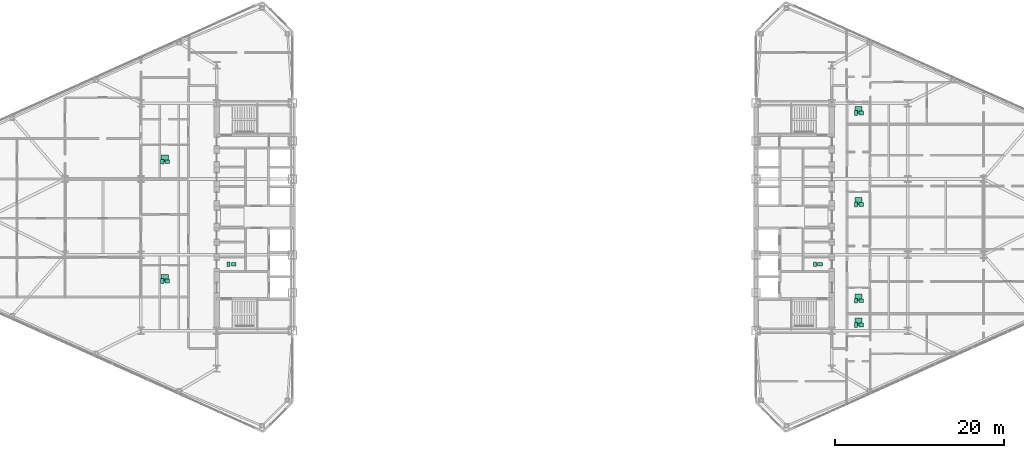
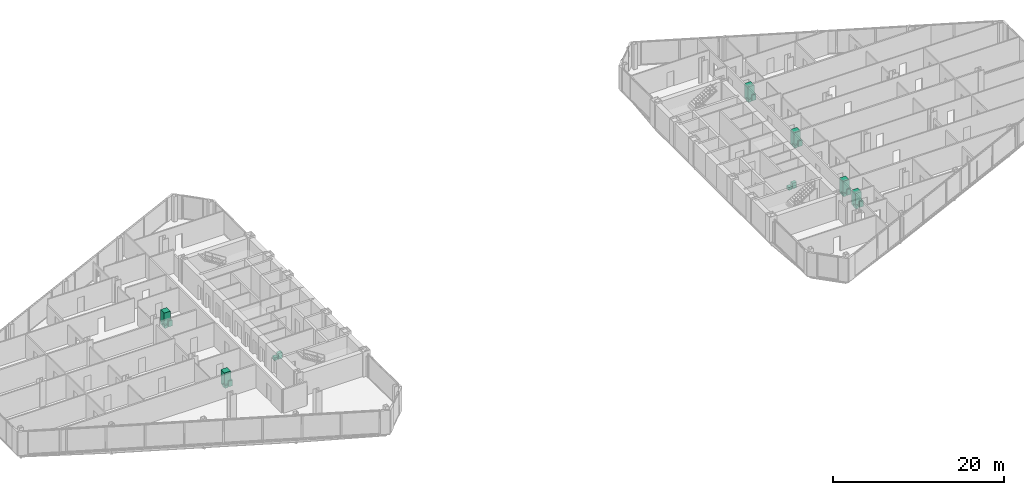
# One storey, part 27 of 27: 22 sanitary terminals.
"""IFC4 building model written with IfcOpenShell, lengths in metres."""

from ifc_helpers import new_model, si_unit, direction, frame, origin, origin_2d, place, context, subcontext, project, spatial, rectangle, extrude, source, transform, mapped, material, type_object, type_shapes, element, save


model = new_model("IFC4")

# Units and contexts
model_context = context("Model", 3, precision=1e-05, world=origin(), true_north=direction((0.0, 1.0)))
body_context = subcontext(model_context, "Body", "Model", "MODEL_VIEW")
ifc_project = project(units=[si_unit("LENGTHUNIT", "METRE"), si_unit("AREAUNIT", "SQUARE_METRE"), si_unit("VOLUMEUNIT", "CUBIC_METRE"), si_unit("PLANEANGLEUNIT", "RADIAN"), si_unit("MASSUNIT", "GRAM", prefix="KILO")], contexts=[model_context])

# Site, building, storey
site_placement = place(None, origin())
site = spatial("IfcSite", under=ifc_project, at=site_placement, CompositionType="ELEMENT")
building_placement = place(site_placement, origin())
building = spatial("IfcBuilding", under=site, at=building_placement, Name="Seokmaru Belvedere", CompositionType="ELEMENT")
storey_placement = place(building_placement, frame((0.0, 0.0, 80.10009765625)))
storey = spatial("IfcBuildingStorey", under=building, at=storey_placement, Name="L21", CompositionType="ELEMENT", Elevation=80.10009765625)

# Sanitary terminals
ifc_material_1 = material(Name="Vitreous China Sanitaryware")
sanitary_terminal_type_1 = type_object("IfcSanitaryTerminalType", Name="Wall-Hung Vitreous China WC Pan", PredefinedType="TOILETPAN", material=ifc_material_1)
shared_shape_1 = source(origin(), body_context, "Body", "SweptSolid", [
    extrude(rectangle(XDim=0.3798828125, YDim=0.56005859375, at=origin_2d()), origin(), (0.0, 0.0, 1.0), 0.419921875),
])
type_shapes(sanitary_terminal_type_1, [shared_shape_1])
for number, where, z_axis, x_axis, name in (
    (1, (-35.10009765625, -5.625, 0.0), (0.0, 0.0, 1.0), (1.0, 0.0, 0.0), "L21 Vitreous China WC 0121"),
    (2, (34.5, -5.625, 0.0), (0.0, 0.0, 1.0), (1.0, 0.0, 0.0), "L21 Vitreous China WC 0122"),
    (3, (-42.97509765625, -7.611083984375, 0.0), (0.0, 0.0, 1.0), (1.0, 0.0, 0.0), "L21 Vitreous China WC 0123"),
    (4, (-42.97509765625, 6.5390625, 0.0), (0.0, 0.0, 1.0), (1.0, 0.0, 0.0), "L21 Vitreous China WC 0124"),
    (5, (39.375, -12.822021484375, 0.0), (0.0, 0.0, 1.0), (1.0, 0.0, 0.0), "L21 Vitreous China WC 0125"),
    (6, (39.375, -9.947998046875, 0.0), (0.0, 0.0, 1.0), (1.0, 0.0, 0.0), "L21 Vitreous China WC 0126"),
    (7, (39.375, 1.48388671875, 0.0), (0.0, 0.0, 1.0), (1.0, 0.0, 0.0), "L21 Vitreous China WC 0127"),
    (8, (39.375, 12.322021484375, 0.0), (0.0, 0.0, 1.0), (1.0, 0.0, 0.0), "L21 Vitreous China WC 0128"),
):
    element("IfcSanitaryTerminal", number, at=place(storey_placement, frame(where, z_axis=z_axis, x_axis=x_axis)), inside=storey, type_object=sanitary_terminal_type_1, Name=name, PredefinedType="TOILETPAN", context=body_context, shape_type="MappedRepresentation", body=[
        mapped(shared_shape_1, transform((0.0, 0.0, 0.0), scale=1.0)),
    ])
sanitary_terminal_type_2 = type_object("IfcSanitaryTerminalType", Name="Countertop Ceramic Washhand Basin", PredefinedType="WASHHANDBASIN", material=ifc_material_1)
shared_shape_2 = source(origin(), body_context, "Body", "SweptSolid", [
    extrude(rectangle(XDim=0.550048828125, YDim=0.449951171875, at=origin_2d()), origin(), (0.0, 0.0, 1.0), 0.820068359375),
])
type_shapes(sanitary_terminal_type_2, [shared_shape_2])
for number, where, z_axis, x_axis, name in (
    (9, (-34.5, -5.625, 0.0), (0.0, 0.0, 1.0), (1.0, 0.0, 0.0), "L21 Ceramic Washhand Basin 0121"),
    (10, (35.10009765625, -5.625, 0.0), (0.0, 0.0, 1.0), (1.0, 0.0, 0.0), "L21 Ceramic Washhand Basin 0122"),
    (11, (-42.375, -7.611083984375, 0.0), (0.0, 0.0, 1.0), (1.0, 0.0, 0.0), "L21 Ceramic Washhand Basin 0123"),
    (12, (-42.375, 6.5390625, 0.0), (0.0, 0.0, 1.0), (1.0, 0.0, 0.0), "L21 Ceramic Washhand Basin 0124"),
    (13, (39.97509765625, -12.822021484375, 0.0), (0.0, 0.0, 1.0), (1.0, 0.0, 0.0), "L21 Ceramic Washhand Basin 0125"),
    (14, (39.97509765625, -9.947998046875, 0.0), (0.0, 0.0, 1.0), (1.0, 0.0, 0.0), "L21 Ceramic Washhand Basin 0126"),
    (15, (39.97509765625, 1.48388671875, 0.0), (0.0, 0.0, 1.0), (1.0, 0.0, 0.0), "L21 Ceramic Washhand Basin 0127"),
    (16, (39.97509765625, 12.322021484375, 0.0), (0.0, 0.0, 1.0), (1.0, 0.0, 0.0), "L21 Ceramic Washhand Basin 0128"),
):
    element("IfcSanitaryTerminal", number, at=place(storey_placement, frame(where, z_axis=z_axis, x_axis=x_axis)), inside=storey, type_object=sanitary_terminal_type_2, Name=name, PredefinedType="WASHHANDBASIN", context=body_context, shape_type="MappedRepresentation", body=[
        mapped(shared_shape_2, transform((0.0, 0.0, 0.0), scale=1.0)),
    ])
ifc_material_2 = material(Name="Stainless Steel 316", Category="steel")
sanitary_terminal_type_3 = type_object("IfcSanitaryTerminalType", Name="Walk-In Thermostatic Rain Shower Enclosure", PredefinedType="SHOWER", material=ifc_material_2)
shared_shape_3 = source(origin(), body_context, "Body", "SweptSolid", [
    extrude(rectangle(XDim=0.85009765625, YDim=0.85009765625, at=origin_2d()), origin(), (0.0, 0.0, 1.0), 2.050048828125),
])
type_shapes(sanitary_terminal_type_3, [shared_shape_3])
for number, where, z_axis, x_axis, name in (
    (17, (-42.675048828125, -7.23095703125, 0.0), (0.0, 0.0, 1.0), (1.0, 0.0, 0.0), "L21 Walk-In Shower 0123"),
    (18, (-42.675048828125, 6.9189453125, 0.0), (0.0, 0.0, 1.0), (1.0, 0.0, 0.0), "L21 Walk-In Shower 0124"),
    (19, (39.675048828125, -12.44189453125, 0.0), (0.0, 0.0, 1.0), (1.0, 0.0, 0.0), "L21 Walk-In Shower 0125"),
    (20, (39.675048828125, -9.568115234375, 0.0), (0.0, 0.0, 1.0), (1.0, 0.0, 0.0), "L21 Walk-In Shower 0126"),
    (21, (39.675048828125, 1.864013671875, 0.0), (0.0, 0.0, 1.0), (1.0, 0.0, 0.0), "L21 Walk-In Shower 0127"),
    (22, (39.675048828125, 12.702880859375, 0.0), (0.0, 0.0, 1.0), (1.0, 0.0, 0.0), "L21 Walk-In Shower 0128"),
):
    element("IfcSanitaryTerminal", number, at=place(storey_placement, frame(where, z_axis=z_axis, x_axis=x_axis)), inside=storey, type_object=sanitary_terminal_type_3, Name=name, PredefinedType="SHOWER", context=body_context, shape_type="MappedRepresentation", body=[
        mapped(shared_shape_3, transform((0.0, 0.0, 0.0), scale=1.0)),
    ])

save(model, "model.ifc")
